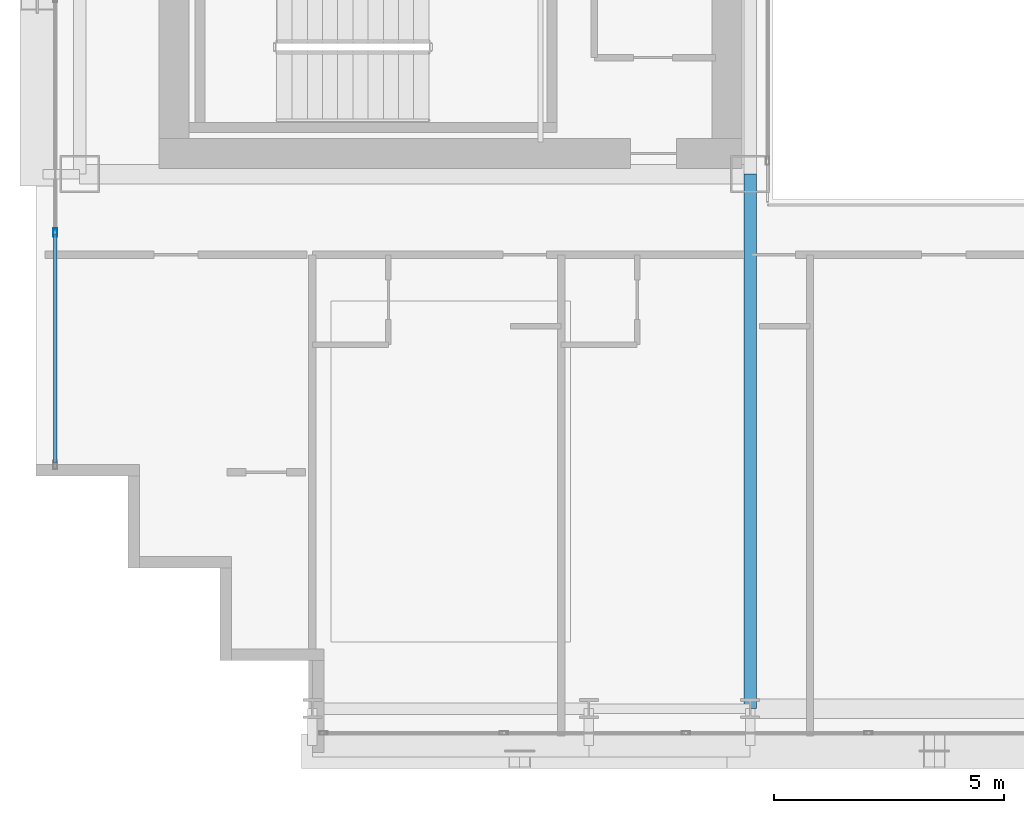
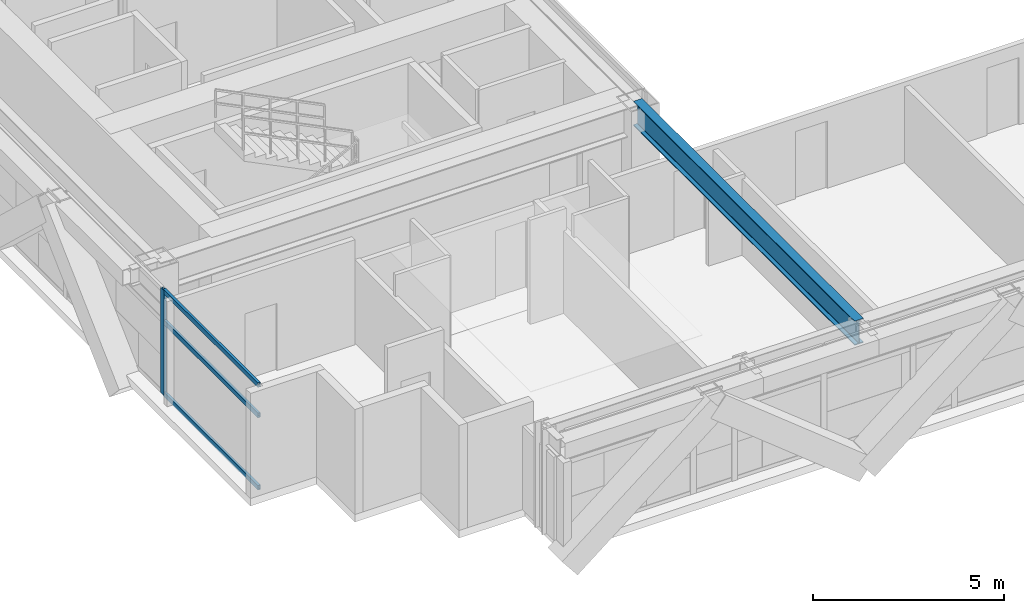
# One storey, part 3 of 39: 4 members, 1 beam, 1 element without a shape of its own.
"""IFC4 building model written with IfcOpenShell, lengths in metres."""

import ifcopenshell
import ifcopenshell.guid

model = None  # the IFC model being written
_history = None  # IfcOwnerHistory: only IFC2X3 demands one
_inside = {}  # id of a spatial element -> (the spatial element, [elements in it])
_under = {}  # id of a project, library or spatial element -> (it, [spatial elements below it])
_declared = {}  # id of a project -> (the project, [libraries it declares])
_typed = {}  # id of a type object -> (the type object, [elements of that type])
_made_of = {}  # id of a material, layer set ... -> (it, [elements and type objects made of it])


def new_model(schema):
    """Start an empty IFC model of exactly this schema.

    Asked for "IFC4X3", IfcOpenShell would pick the latest addendum, in which some entities
    have other attributes; the version numbers below select the first issue.
    IFC2X3 requires an IfcOwnerHistory on every rooted entity: one is made here for all.
    """
    global model, _history
    if schema == "IFC4X3":
        model = ifcopenshell.file(schema_version=(4, 3, 0, 0))
    else:
        model = ifcopenshell.file(schema=schema)
    _inside.clear()
    _under.clear()
    _declared.clear()
    _typed.clear()
    _made_of.clear()
    _history = None
    if model.schema == "IFC2X3":
        org = make("IfcOrganization", Name="unknown")
        user = make(
            "IfcPersonAndOrganization",
            ThePerson=make("IfcPerson", FamilyName="unknown"),
            TheOrganization=org,
        )
        app = make(
            "IfcApplication",
            ApplicationDeveloper=org,
            Version="unknown",
            ApplicationFullName="unknown",
            ApplicationIdentifier="unknown",
        )
        _history = make(
            "IfcOwnerHistory",
            OwningUser=user,
            OwningApplication=app,
            ChangeAction="ADDED",
            CreationDate=0,
        )
    return model


def make(cls, **values):
    """One entity of the class cls with the attributes given. An attribute that is None is left unset."""
    return model.create_entity(
        cls, **{name: value for name, value in values.items() if value is not None}
    )


def rooted(cls, **values):
    """An entity with a GlobalId (a new one), such as an element, a storey or a relation."""
    return make(cls, GlobalId=ifcopenshell.guid.new(), OwnerHistory=_history, **values)


def si_unit(unit_type, name, prefix=None):
    """IfcSIUnit, for example si_unit("LENGTHUNIT", "METRE", prefix="MILLI")."""
    return make("IfcSIUnit", UnitType=unit_type, Prefix=prefix, Name=name)


def assignment(units):
    """IfcUnitAssignment: the units of a project."""
    return None if units is None else make("IfcUnitAssignment", Units=units)


def point(xyz):
    """IfcCartesianPoint."""
    return None if xyz is None else make("IfcCartesianPoint", Coordinates=xyz)


def direction(xyz):
    """IfcDirection."""
    return None if xyz is None else make("IfcDirection", DirectionRatios=xyz)


def frame(location, z_axis=None, x_axis=None):
    """IfcAxis2Placement3D, a coordinate frame: its origin and axes. An axis left out is left unset."""
    return make(
        "IfcAxis2Placement3D",
        Location=point(location),
        Axis=direction(z_axis),
        RefDirection=direction(x_axis),
    )


def frame_2d(location, x_axis=None):
    """IfcAxis2Placement2D, a coordinate frame in the plane: its origin and x axis."""
    return make(
        "IfcAxis2Placement2D", Location=point(location), RefDirection=direction(x_axis)
    )


def origin():
    """The frame at (0, 0, 0) with its axes left unset."""
    return frame((0.0, 0.0, 0.0))


def origin_2d():
    """The frame at (0, 0) in the plane with its x axis left unset."""
    return frame_2d((0.0, 0.0))


def place(relative_to, where):
    """IfcLocalPlacement: puts the frame where relative to a parent placement (None: the world)."""
    return make(
        "IfcLocalPlacement", PlacementRelTo=relative_to, RelativePlacement=where
    )


def context(
    kind, dimensions, precision=None, world=None, true_north=None, identifier=None
):
    """IfcGeometricRepresentationContext, for example the 3D "Model" context."""
    return make(
        "IfcGeometricRepresentationContext",
        ContextIdentifier=identifier,
        ContextType=kind,
        CoordinateSpaceDimension=dimensions,
        Precision=precision,
        WorldCoordinateSystem=world,
        TrueNorth=true_north,
    )


def subcontext(parent, identifier, kind, view, scale=None):
    """IfcGeometricRepresentationSubContext, for example "Body" below "Model"."""
    return make(
        "IfcGeometricRepresentationSubContext",
        ContextIdentifier=identifier,
        ContextType=kind,
        ParentContext=parent,
        TargetScale=scale,
        TargetView=view,
    )


def project(units=None, contexts=None):
    """IfcProject with its units and contexts."""
    return rooted(
        "IfcProject",
        Name="project",
        RepresentationContexts=contexts,
        UnitsInContext=assignment(units),
    )


def spatial(cls, under=None, at=None, **own):
    """A site, building, storey or space (cls), placed at a placement, below another one or the project."""
    s = rooted(cls, ObjectPlacement=at, **own)
    if under is not None:
        _under.setdefault(under.id(), (under, []))[1].append(s)
    return s


def profile(cls, at=None, kind="AREA", **sizes):
    """A parametric profile (cls). Its sizes go by their IFC names, for example OverallWidth=200.0."""
    return make(cls, ProfileType=kind, Position=at, **sizes)


def hollow_rectangle(**sizes):
    """IfcRectangleHollowProfileDef."""
    return profile("IfcRectangleHollowProfileDef", **sizes)


def i_section(**sizes):
    """IfcIShapeProfileDef."""
    return profile("IfcIShapeProfileDef", **sizes)


def extrude(swept, where, along, depth):
    """IfcExtrudedAreaSolid: the profile swept, set in the frame where, extruded along a direction by depth."""
    return make(
        "IfcExtrudedAreaSolid",
        SweptArea=swept,
        Position=where,
        ExtrudedDirection=direction(along),
        Depth=depth,
    )


def shape(context_of_items, identifier, shape_type, items):
    """IfcShapeRepresentation: the items that make up one representation, for example the "Body"."""
    return make(
        "IfcShapeRepresentation",
        ContextOfItems=context_of_items,
        RepresentationIdentifier=identifier,
        RepresentationType=shape_type,
        Items=items,
    )


def source(mapping_origin, context_of_items, identifier, shape_type, items):
    """IfcRepresentationMap: a shape defined once, which mapped items show again and again."""
    return make(
        "IfcRepresentationMap",
        MappingOrigin=mapping_origin,
        MappedRepresentation=shape(context_of_items, identifier, shape_type, items),
    )


def transform(
    local_origin,
    x_axis=None,
    y_axis=None,
    z_axis=None,
    scale=None,
    scale2=None,
    scale3=None,
    uniform=True,
):
    """IfcCartesianTransformationOperator3D, or its non-uniform kind. x_axis, y_axis, z_axis: its Axis1, 2, 3."""
    if uniform:
        return make(
            "IfcCartesianTransformationOperator3D",
            Axis1=direction(x_axis),
            Axis2=direction(y_axis),
            LocalOrigin=point(local_origin),
            Scale=scale,
            Axis3=direction(z_axis),
        )
    return make(
        "IfcCartesianTransformationOperator3DnonUniform",
        Axis1=direction(x_axis),
        Axis2=direction(y_axis),
        LocalOrigin=point(local_origin),
        Scale=scale,
        Axis3=direction(z_axis),
        Scale2=scale2,
        Scale3=scale3,
    )


def mapped(mapping_source, mapping_target):
    """IfcMappedItem: shows the shape of a source again, moved by a transform."""
    return make(
        "IfcMappedItem", MappingSource=mapping_source, MappingTarget=mapping_target
    )


def material(Name=None, Category=None):
    """IfcMaterial."""
    return make("IfcMaterial", Name=Name, Category=Category)


def layer(
    of_material, thickness, ventilated=None, Name=None, Category=None, Priority=None
):
    """IfcMaterialLayer: one layer of a wall or slab, of a material (None: an air gap)."""
    return make(
        "IfcMaterialLayer",
        Material=of_material,
        LayerThickness=thickness,
        IsVentilated=ventilated,
        Name=Name,
        Category=Category,
        Priority=Priority,
    )


def layer_set(layers, Name=None):
    """IfcMaterialLayerSet."""
    return make("IfcMaterialLayerSet", MaterialLayers=layers, LayerSetName=Name)


def material_profile(
    of_material, cross_section, Name=None, Category=None, Priority=None
):
    """IfcMaterialProfile: a cross section and its material."""
    return make(
        "IfcMaterialProfile",
        Name=Name,
        Material=of_material,
        Profile=cross_section,
        Priority=Priority,
        Category=Category,
    )


def profile_set(profiles, Name=None, composite=None):
    """IfcMaterialProfileSet."""
    return make(
        "IfcMaterialProfileSet",
        Name=Name,
        MaterialProfiles=profiles,
        CompositeProfile=composite,
    )


def made_of(thing, what):
    """Note that an element or type object is made of a material, layer set ...; save() writes the relation."""
    if what is not None:
        _made_of.setdefault(what.id(), (what, []))[1].append(thing)
    return thing


def type_object(cls, material=None, **own):
    """A type object (cls), such as IfcWallType, which elements share."""
    return made_of(rooted(cls, **own), material)


def element(
    cls,
    number,
    at=None,
    inside=None,
    cuts=None,
    type_object=None,
    material=None,
    context=None,
    identifier="Body",
    shape_type=None,
    held_by="IfcProductDefinitionShape",
    body=None,
    shapes=None,
    **own,
):
    """One element of the class cls, such as IfcWall. Its Tag is "e" and its number.

    at: its placement. inside: the storey or other place that contains it. cuts: it is an
    opening in that element (IfcRelVoidsElement). A single representation is given by context,
    identifier, shape_type and body (its items); several are given by shapes. held_by: the class
    of the entity that holds the representations. save() writes the other relations.
    """
    e = rooted(cls, Tag="e%d" % number, ObjectPlacement=at, **own)
    if body is not None:
        shapes = [shape(context, identifier, shape_type, body)]
    if shapes is not None:
        e.Representation = make(held_by, Representations=shapes)
    if inside is not None:
        _inside.setdefault(inside.id(), (inside, []))[1].append(e)
    if cuts is not None:
        rooted(
            "IfcRelVoidsElement", RelatingBuildingElement=cuts, RelatedOpeningElement=e
        )
    if type_object is not None:
        _typed.setdefault(type_object.id(), (type_object, []))[1].append(e)
    return made_of(e, material)


def aggregate(whole, parts):
    """IfcRelAggregates: a whole, such as a stair, and the parts it consists of."""
    return rooted("IfcRelAggregates", RelatingObject=whole, RelatedObjects=parts)


def save(model, path):
    """Write the relations noted so far, then the file.

    IfcRelAggregates (storeys below a building ...), IfcRelContainedInSpatialStructure (elements
    in a storey), IfcRelDefinesByType, IfcRelAssociatesMaterial and IfcRelDeclares: one each for
    every whole, place, type object, material and project.
    """
    for whole, parts in _under.values():
        aggregate(whole, parts)
    for where, things in _inside.values():
        rooted(
            "IfcRelContainedInSpatialStructure",
            RelatedElements=things,
            RelatingStructure=where,
        )
    for kind, things in _typed.values():
        rooted("IfcRelDefinesByType", RelatedObjects=things, RelatingType=kind)
    for what, things in _made_of.values():
        rooted("IfcRelAssociatesMaterial", RelatedObjects=things, RelatingMaterial=what)
    for by, libraries in _declared.values():
        rooted("IfcRelDeclares", RelatingContext=by, RelatedDefinitions=libraries)
    model.write(path)


model = new_model("IFC4")

# Units and contexts
model_context = context("Model", 3, precision=1e-05, world=origin(), true_north=direction((0.0, 1.0)))
body_context = subcontext(model_context, "Body", "Model", "MODEL_VIEW")
ifc_project = project(units=[si_unit("LENGTHUNIT", "METRE"), si_unit("AREAUNIT", "SQUARE_METRE"), si_unit("VOLUMEUNIT", "CUBIC_METRE"), si_unit("PLANEANGLEUNIT", "RADIAN"), si_unit("MASSUNIT", "GRAM", prefix="KILO")], contexts=[model_context])

# Site, building, storey
site_placement = place(None, origin())
site = spatial("IfcSite", under=ifc_project, at=site_placement, CompositionType="ELEMENT")
building_placement = place(site_placement, origin())
building = spatial("IfcBuilding", under=site, at=building_placement, Name="Ocotamira Hotel", CompositionType="ELEMENT")
storey_placement = place(building_placement, frame((0.0, 0.0, 126.0)))
storey = spatial("IfcBuildingStorey", under=building, at=storey_placement, Name="L31", CompositionType="ELEMENT", Elevation=126.0)

# Beam
ifc_material_1 = material(Name="Steel ASTM A992 Grade 50", Category="steel")
ifc_material_profile_1 = material_profile(ifc_material_1, i_section(OverallWidth=0.26611328125, OverallDepth=0.779052734375, WebThickness=0.0166015625, FlangeThickness=0.030029296875, FilletRadius=0.01806640625, at=origin_2d()), Name="W30X148")
ifc_profile_set_1 = profile_set([ifc_material_profile_1], Name="Steel ASTM A992 Grade 50")
beam_type = type_object("IfcBeamType", Name="BM-GIRD-W30X148", PredefinedType="BEAM", material=ifc_profile_set_1)
shared_shape_1 = source(origin(), body_context, "Body", "SweptSolid", [
    extrude(i_section(OverallWidth=0.26611328125, OverallDepth=0.779052734375, WebThickness=0.0166015625, FlangeThickness=0.030029296875, FilletRadius=0.01806640625, at=origin_2d()), origin(), (0.0, 0.0, 1.0), 11.60009765625),
])
beam_placement = place(storey_placement, frame((23.5, 2.949951171875, 2.970458984375), z_axis=(0.0, 1.0, 0.0), x_axis=(-1.0, 0.0, 0.0)))
element("IfcBeam", 1, at=beam_placement, inside=storey, type_object=beam_type, Name="L31 Beam X23.5 Y2.95-14.55", PredefinedType="BEAM", context=body_context, shape_type="MappedRepresentation", body=[
    mapped(shared_shape_1, transform((0.0, 0.0, 0.0), scale=1.0)),
])

# Curtain wall, members
ifc_material_2 = material(Name="Anodised pale-metal aluminium and solar glass", Category="aluminium")
ifc_layer = layer(ifc_material_2, 0.179931640625)
ifc_layer_set = layer_set([ifc_layer], Name="Anodised pale-metal aluminium and solar glass")
curtain_wall_type = type_object("IfcCurtainWallType", Name="CW-SYS3-Z2", PredefinedType="NOTDEFINED", material=ifc_layer_set)
curtain_wall_placement = place(storey_placement, origin())
curtain_wall = element("IfcCurtainWall", 2, at=curtain_wall_placement, inside=storey, type_object=curtain_wall_type, Name="L31 Curtain Wall CW-3 CW-L31-W", PredefinedType="NOTDEFINED")
ifc_material_3 = material(Name="Anodised pale-metal aluminium 6063-T6", Category="aluminium")
ifc_material_profile_2 = material_profile(ifc_material_3, hollow_rectangle(XDim=0.074951171875, YDim=0.14990234375, WallThickness=0.006103515625, at=origin_2d()), Name="HSS150X75X6")
ifc_profile_set_2 = profile_set([ifc_material_profile_2], Name="Anodised pale-metal aluminium 6063-T6")
member_type_1 = type_object("IfcMemberType", Name="CWT-150X75", PredefinedType="USERDEFINED", material=ifc_profile_set_2)
shared_shape_2 = source(origin(), body_context, "Body", "SweptSolid", [
    extrude(hollow_rectangle(XDim=0.074951171875, YDim=0.14990234375, WallThickness=0.006103515625, at=origin_2d()), origin(), (0.0, 0.0, 1.0), 4.965576171875),
])
member_1_placement = place(storey_placement, frame((8.419921875, 8.280029296875, 0.03759765625), z_axis=(0.0, 1.0, 0.0), x_axis=(-1.0, 0.0, 0.0)))
member_1 = element("IfcMember", 3, at=member_1_placement, type_object=member_type_1, Name="CW-3 transom 1.1", ObjectType="TRANSOM", PredefinedType="USERDEFINED", context=body_context, shape_type="MappedRepresentation", body=[
    mapped(shared_shape_2, transform((0.0, 0.0, 0.0), scale=1.0)),
])
member_2_placement = place(storey_placement, frame((8.419921875, 8.280029296875, 2.35009765625), z_axis=(0.0, 1.0, 0.0), x_axis=(-1.0, 0.0, 0.0)))
member_2 = element("IfcMember", 4, at=member_2_placement, type_object=member_type_1, Name="CW-3 transom 1.2", ObjectType="TRANSOM", PredefinedType="USERDEFINED", context=body_context, shape_type="MappedRepresentation", body=[
    mapped(shared_shape_2, transform((0.0, 0.0, 0.0), scale=1.0)),
])
member_3_placement = place(storey_placement, frame((8.419921875, 8.280029296875, 3.322509765625), z_axis=(0.0, 1.0, 0.0), x_axis=(-1.0, 0.0, 0.0)))
member_3 = element("IfcMember", 5, at=member_3_placement, type_object=member_type_1, Name="CW-3 transom 1.3", ObjectType="TRANSOM", PredefinedType="USERDEFINED", context=body_context, shape_type="MappedRepresentation", body=[
    mapped(shared_shape_2, transform((0.0, 0.0, 0.0), scale=1.0)),
])
ifc_material_profile_3 = material_profile(ifc_material_3, hollow_rectangle(XDim=0.080078125, YDim=0.179931640625, WallThickness=0.006103515625, at=origin_2d()), Name="HSS180X80X6")
ifc_profile_set_3 = profile_set([ifc_material_profile_3], Name="Anodised pale-metal aluminium 6063-T6")
member_type_2 = type_object("IfcMemberType", Name="CWM-180X75", PredefinedType="MULLION", material=ifc_profile_set_3)
shared_shape_3 = source(origin(), body_context, "Body", "SweptSolid", [
    extrude(hollow_rectangle(XDim=0.080078125, YDim=0.179931640625, WallThickness=0.006103515625, at=origin_2d()), origin(), (0.0, 0.0, 1.0), 3.360107421875),
])
member_4_placement = place(storey_placement, frame((8.419921875, 13.28564453125, 0.0), z_axis=(0.0, 0.0, 1.0), x_axis=(-1.0, 0.0, 0.0)))
member_4 = element("IfcMember", 6, at=member_4_placement, type_object=member_type_2, Name="CW-3 mullion 2", PredefinedType="MULLION", context=body_context, shape_type="MappedRepresentation", body=[
    mapped(shared_shape_3, transform((0.0, 0.0, 0.0), scale=1.0)),
])
aggregate(curtain_wall, [member_4, member_1, member_2, member_3])

save(model, "model.ifc")
